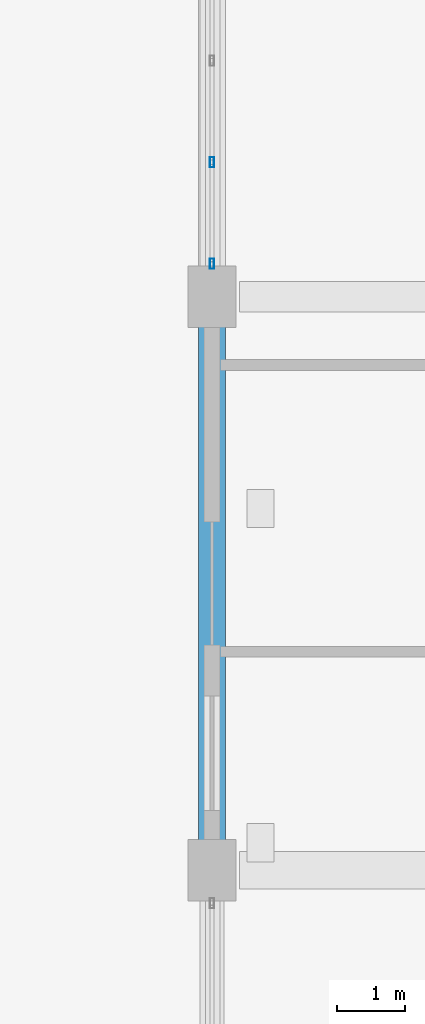
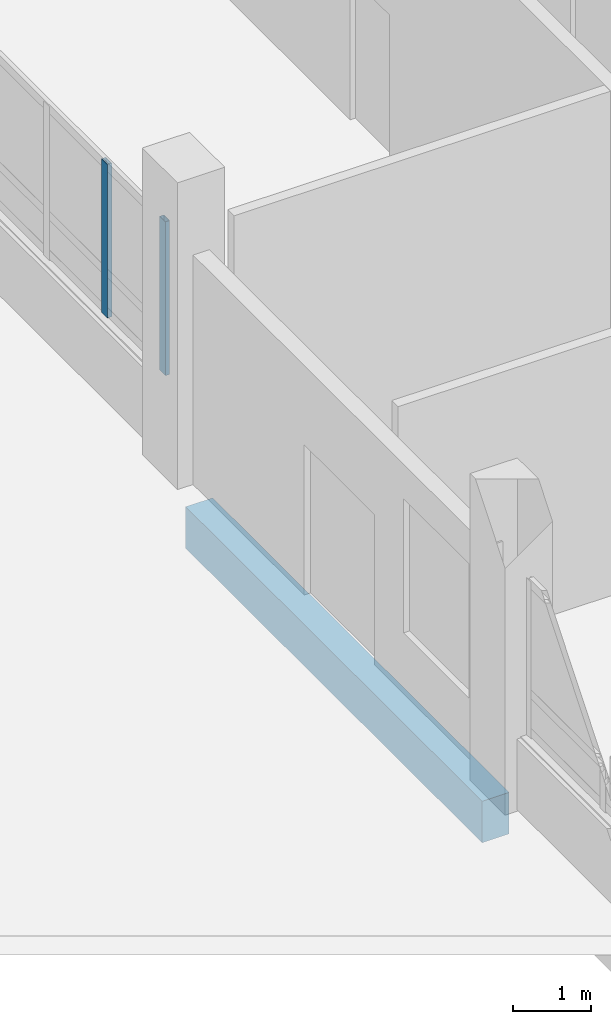
# One storey, part 38 of 95: 2 members, 1 beam, 1 element without a shape of its own.
"""IFC4 building model written with IfcOpenShell, lengths in metres."""

from ifc_helpers import new_model, si_unit, direction, frame, origin, origin_2d, place, context, subcontext, project, spatial, rectangle, hollow_rectangle, extrude, material, layer, layer_set, material_profile, profile_set, type_object, element, aggregate, save


model = new_model("IFC4")

# Units and contexts
model_context = context("Model", 3, precision=1e-05, world=origin(), true_north=direction((0.0, 1.0)))
body_context = subcontext(model_context, "Body", "Model", "MODEL_VIEW")
ifc_project = project(units=[si_unit("LENGTHUNIT", "METRE"), si_unit("AREAUNIT", "SQUARE_METRE"), si_unit("VOLUMEUNIT", "CUBIC_METRE"), si_unit("PLANEANGLEUNIT", "RADIAN"), si_unit("MASSUNIT", "GRAM", prefix="KILO")], contexts=[model_context])

# Site, building, storey
site_placement = place(None, origin())
site = spatial("IfcSite", under=ifc_project, at=site_placement, CompositionType="ELEMENT")
building_placement = place(site_placement, origin())
building = spatial("IfcBuilding", under=site, at=building_placement, Name="Vireocrest Preparatory School", CompositionType="ELEMENT")
storey_placement = place(building_placement, origin())
storey = spatial("IfcBuildingStorey", under=building, at=storey_placement, Name="L00", CompositionType="ELEMENT", Elevation=0.0)

# Curtain wall, members
ifc_material_1 = material(Name="Thermally broken aluminium EN AW-6063-T6", Category="aluminium")
ifc_layer = layer(ifc_material_1, 0.179931640625)
ifc_layer_set = layer_set([ifc_layer], Name="Thermally broken aluminium EN AW-6063-T6")
curtain_wall_type = type_object("IfcCurtainWallType", Name="Court Banded Curtain Wall 8400x3600", PredefinedType="USERDEFINED", material=ifc_layer_set)
curtain_wall_placement = place(storey_placement, origin())
curtain_wall = element("IfcCurtainWall", 1, at=curtain_wall_placement, inside=storey, type_object=curtain_wall_type, Name="Curtain Wall CW01 CW_L00_CW01_0924_0610_012", ObjectType="CURTAIN WALL", PredefinedType="USERDEFINED")
ifc_material_profile_1 = material_profile(ifc_material_1, hollow_rectangle(XDim=0.06494140625, YDim=0.14990234375, WallThickness=0.00390625, at=origin_2d()), Name="ALU 65x150x4")
ifc_profile_set_1 = profile_set([ifc_material_profile_1], Name="Thermally broken aluminium EN AW-6063-T6")
member_type = type_object("IfcMemberType", Name="CW Mullion 65x150x4", PredefinedType="MULLION", material=ifc_profile_set_1)
member_1_placement = place(storey_placement, frame((92.39990234375, 61.0849609375, 1.14990234375), z_axis=(0.0, 0.0, 1.0), x_axis=(1.0, 0.0, 0.0)))
member_1 = element("IfcMember", 2, at=member_1_placement, type_object=member_type, Name="CW Mullion ML1 CW_L00_CW01_0924_0610_012-1", PredefinedType="MULLION", context=body_context, shape_type="SweptSolid", body=[
    extrude(hollow_rectangle(XDim=0.06494140625, YDim=0.14990234375, WallThickness=0.00390625, at=origin_2d()), origin(), (0.0, 0.0, 1.0), 2.405029296875),
])
member_2_placement = place(storey_placement, frame((92.39990234375, 62.571044921875, 1.14990234375), z_axis=(0.0, 0.0, 1.0), x_axis=(1.0, 0.0, 0.0)))
member_2 = element("IfcMember", 3, at=member_2_placement, type_object=member_type, Name="CW Mullion ML1 CW_L00_CW01_0924_0610_012-2", PredefinedType="MULLION", context=body_context, shape_type="SweptSolid", body=[
    extrude(hollow_rectangle(XDim=0.06494140625, YDim=0.14990234375, WallThickness=0.00390625, at=origin_2d()), origin(), (0.0, 0.0, 1.0), 2.405029296875),
])
aggregate(curtain_wall, [member_1, member_2])

# Beam
ifc_material_2 = material(Name="Concrete 40 MPa", Category="concrete")
ifc_material_profile_2 = material_profile(ifc_material_2, rectangle(XDim=0.39990234375, YDim=0.64990234375, at=origin_2d()), Name="RC 400x650")
ifc_profile_set_2 = profile_set([ifc_material_profile_2], Name="Concrete 40 MPa")
beam_type = type_object("IfcBeamType", Name="RC Laboratory Girder 400x650", PredefinedType="BEAM", material=ifc_profile_set_2)
beam_placement = place(storey_placement, frame((92.39990234375, 52.60009765625, -0.675048828125), z_axis=(0.0, 1.0, 0.0), x_axis=(-1.0, 0.0, 0.0)))
element("IfcBeam", 4, at=beam_placement, inside=storey, type_object=beam_type, Name="Primary Girder B07 L00-0198", PredefinedType="BEAM", context=body_context, shape_type="SweptSolid", body=[
    extrude(rectangle(XDim=0.39990234375, YDim=0.64990234375, at=origin_2d()), origin(), (0.0, 0.0, 1.0), 7.599853515625),
])

save(model, "model.ifc")
